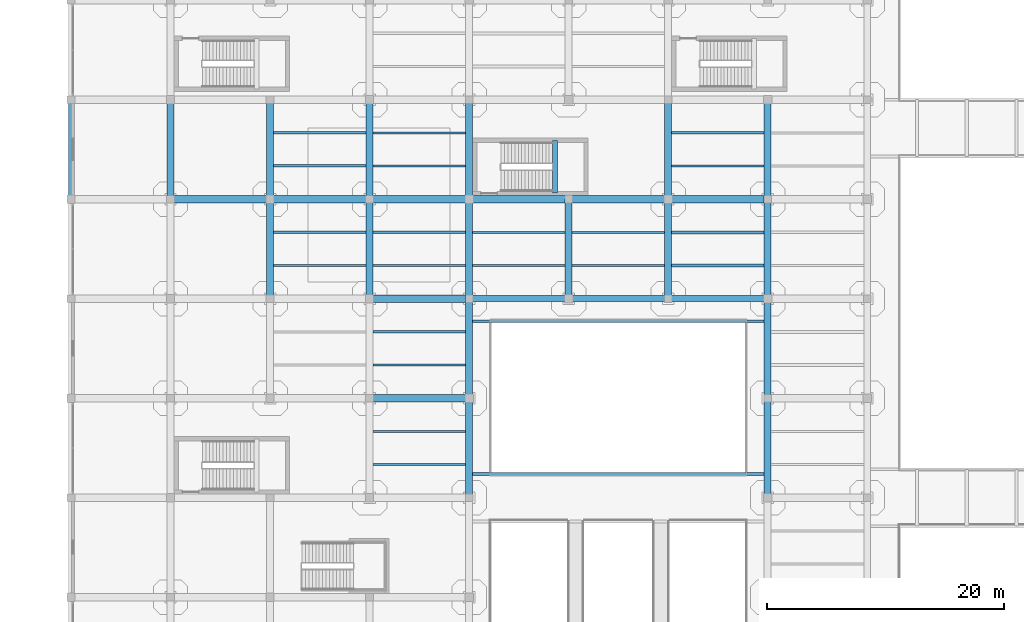
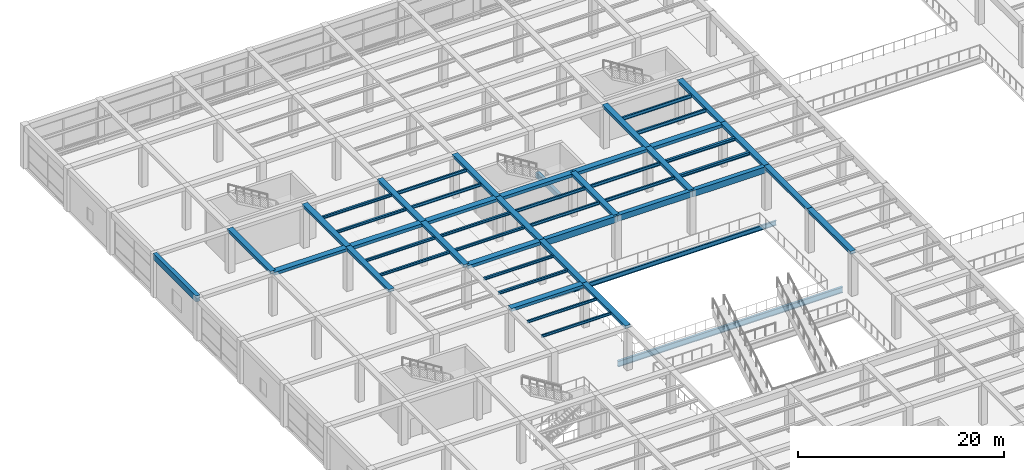
# One storey, part 32 of 95: 51 beams.
"""IFC4 building model written with IfcOpenShell, lengths in metres."""

from ifc_helpers import new_model, si_unit, direction, frame, origin, origin_2d, place, context, subcontext, project, spatial, rectangle, i_section, extrude, material, material_profile, profile_set, type_object, element, save


model = new_model("IFC4")

# Units and contexts
model_context = context("Model", 3, precision=1e-05, world=origin(), true_north=direction((0.0, 1.0)))
body_context = subcontext(model_context, "Body", "Model", "MODEL_VIEW")
ifc_project = project(units=[si_unit("LENGTHUNIT", "METRE"), si_unit("AREAUNIT", "SQUARE_METRE"), si_unit("VOLUMEUNIT", "CUBIC_METRE"), si_unit("PLANEANGLEUNIT", "RADIAN"), si_unit("MASSUNIT", "GRAM", prefix="KILO")], contexts=[model_context])

# Site, building, storey
site_placement = place(None, origin())
site = spatial("IfcSite", under=ifc_project, at=site_placement, CompositionType="ELEMENT")
building_placement = place(site_placement, origin())
building = spatial("IfcBuilding", under=site, at=building_placement, Name="Almacenes y Pasaje Nevantli", CompositionType="ELEMENT")
storey_placement = place(building_placement, frame((0.0, 0.0, 11.39990234375)))
storey = spatial("IfcBuildingStorey", under=building, at=storey_placement, Name="L03", CompositionType="ELEMENT", Elevation=11.39990234375)

# Beams
ifc_material_1 = material(Name="Concrete C35/45", Category="concrete")
ifc_material_profile_1 = material_profile(ifc_material_1, rectangle(XDim=0.39990234375, YDim=0.60009765625, at=origin_2d()), Name="RC-BM-400x600")
ifc_profile_set_1 = profile_set([ifc_material_profile_1], Name="Concrete C35/45")
beam_type_1 = type_object("IfcBeamType", Name="BM-RC-400x600", PredefinedType="SPANDREL", material=ifc_profile_set_1)
beam_1_placement = place(storey_placement, frame((40.85009765625, 84.5, 2.2001953125), z_axis=(0.0, 1.0, 0.0), x_axis=(-1.0, 0.0, 0.0)))
element("IfcBeam", 1, at=beam_1_placement, inside=storey, type_object=beam_type_1, Name="L03 Stair ST-15 Half-Landing Support Beam", PredefinedType="SPANDREL", context=body_context, shape_type="SweptSolid", body=[
    extrude(rectangle(XDim=0.39990234375, YDim=0.60009765625, at=origin_2d()), origin(), (0.0, 0.0, 1.0), 4.449951171875),
])
ifc_material_2 = material(Name="Concrete C35/45", Category="concrete")
ifc_material_profile_2 = material_profile(ifc_material_2, rectangle(XDim=0.449951171875, YDim=0.699951171875, at=origin_2d()), Name="RC-BM-450x700")
ifc_profile_set_2 = profile_set([ifc_material_profile_2], Name="Concrete C35/45")
beam_type_2 = type_object("IfcBeamType", Name="BM-RC-450x700", PredefinedType="SPANDREL", material=ifc_profile_set_2)
beam_2_placement = place(storey_placement, frame((0.0, 84.0, 4.75), z_axis=(0.0, 1.0, 0.0), x_axis=(-1.0, 0.0, 0.0)))
element("IfcBeam", 2, at=beam_2_placement, inside=storey, type_object=beam_type_2, Name="L03 North-South Reinforced Concrete Beam #2487", PredefinedType="SPANDREL", context=body_context, shape_type="SweptSolid", body=[
    extrude(rectangle(XDim=0.449951171875, YDim=0.699951171875, at=origin_2d()), origin(), (0.0, 0.0, 1.0), 8.39990234375),
])
ifc_material_3 = material(Name="Concrete C35/45", Category="concrete")
ifc_material_profile_3 = material_profile(ifc_material_3, rectangle(XDim=0.5, YDim=0.699951171875, at=origin_2d()), Name="RC-BM-500x700")
ifc_profile_set_3 = profile_set([ifc_material_profile_3], Name="Concrete C35/45")
beam_type_3 = type_object("IfcBeamType", Name="BM-RC-500x700", PredefinedType="BEAM", material=ifc_profile_set_3)
beam_3_placement = place(storey_placement, frame((42.0, 75.60009765625, 4.75), z_axis=(1.0, 0.0, 0.0), x_axis=(0.0, 1.0, 0.0)))
element("IfcBeam", 3, at=beam_3_placement, inside=storey, type_object=beam_type_3, Name="L03 East-West Reinforced Concrete Beam #2380", PredefinedType="BEAM", context=body_context, shape_type="SweptSolid", body=[
    extrude(rectangle(XDim=0.5, YDim=0.699951171875, at=origin_2d()), origin(), (0.0, 0.0, 1.0), 8.39990234375),
])
ifc_material_4 = material(Name="Concrete C35/45", Category="concrete")
ifc_material_profile_4 = material_profile(ifc_material_4, rectangle(XDim=0.5, YDim=0.75, at=origin_2d()), Name="RC-BM-500x750")
ifc_profile_set_4 = profile_set([ifc_material_profile_4], Name="Concrete C35/45")
beam_type_4 = type_object("IfcBeamType", Name="BM-RC-500x750", PredefinedType="BEAM", material=ifc_profile_set_4)
beam_4_placement = place(storey_placement, frame((33.60009765625, 75.60009765625, 4.72509765625), z_axis=(1.0, 0.0, 0.0), x_axis=(0.0, 1.0, 0.0)))
element("IfcBeam", 4, at=beam_4_placement, inside=storey, type_object=beam_type_4, Name="L03 East-West Reinforced Concrete Beam #2379", PredefinedType="BEAM", context=body_context, shape_type="SweptSolid", body=[
    extrude(rectangle(XDim=0.5, YDim=0.75, at=origin_2d()), origin(), (0.0, 0.0, 1.0), 8.39990234375),
])
beam_5_placement = place(storey_placement, frame((50.39990234375, 75.60009765625, 4.72509765625), z_axis=(1.0, 0.0, 0.0), x_axis=(0.0, 1.0, 0.0)))
element("IfcBeam", 5, at=beam_5_placement, inside=storey, type_object=beam_type_4, Name="L03 East-West Reinforced Concrete Beam #2381", PredefinedType="BEAM", context=body_context, shape_type="SweptSolid", body=[
    extrude(rectangle(XDim=0.5, YDim=0.75, at=origin_2d()), origin(), (0.0, 0.0, 1.0), 8.400146484375),
])
ifc_material_5 = material(Name="Concrete C35/45", Category="concrete")
ifc_material_profile_5 = material_profile(ifc_material_5, rectangle(XDim=0.60009765625, YDim=0.320068359375, at=origin_2d()), Name="RC-BM-600x320")
ifc_profile_set_5 = profile_set([ifc_material_profile_5], Name="Concrete C35/45")
beam_type_5 = type_object("IfcBeamType", Name="BM-RC-600x320", PredefinedType="BEAM", material=ifc_profile_set_5)
for number, where, z_axis, x_axis, name in (
    (6, (8.39990234375, 84.0, 4.940185546875), (0.0, 1.0, 0.0), (-1.0, 0.0, 0.0), "L03 North-South Reinforced Concrete Beam #2498"),
    (7, (16.800048828125, 75.60009765625, 4.940185546875), (0.0, 1.0, 0.0), (-1.0, 0.0, 0.0), "L03 North-South Reinforced Concrete Beam #2507"),
    (8, (25.199951171875, 84.0, 4.940185546875), (0.0, 1.0, 0.0), (-1.0, 0.0, 0.0), "L03 North-South Reinforced Concrete Beam #2520"),
    (9, (33.60009765625, 58.800048828125, 4.940185546875), (0.0, 1.0, 0.0), (-1.0, 0.0, 0.0), "L03 North-South Reinforced Concrete Beam #2530"),
    (10, (33.60009765625, 75.60009765625, 4.940185546875), (0.0, 1.0, 0.0), (-1.0, 0.0, 0.0), "L03 North-South Reinforced Concrete Beam #2532"),
    (11, (50.39990234375, 75.60009765625, 4.940185546875), (0.0, 1.0, 0.0), (-1.0, 0.0, 0.0), "L03 North-South Reinforced Concrete Beam #2550"),
):
    element("IfcBeam", number, at=place(storey_placement, frame(where, z_axis=z_axis, x_axis=x_axis)), inside=storey, type_object=beam_type_5, Name=name, PredefinedType="BEAM", context=body_context, shape_type="SweptSolid", body=[
        extrude(rectangle(XDim=0.60009765625, YDim=0.320068359375, at=origin_2d()), origin(), (0.0, 0.0, 1.0), 8.39990234375),
    ])
beam_6_placement = place(storey_placement, frame((58.800048828125, 67.199951171875, 4.940185546875), z_axis=(0.0, 1.0, 0.0), x_axis=(-1.0, 0.0, 0.0)))
element("IfcBeam", 12, at=beam_6_placement, inside=storey, type_object=beam_type_5, Name="L03 North-South Reinforced Concrete Beam #2563", PredefinedType="BEAM", context=body_context, shape_type="SweptSolid", body=[
    extrude(rectangle(XDim=0.60009765625, YDim=0.320068359375, at=origin_2d()), origin(), (0.0, 0.0, 1.0), 8.400146484375),
])
beam_7_placement = place(storey_placement, frame((58.800048828125, 84.0, 4.940185546875), z_axis=(0.0, 1.0, 0.0), x_axis=(-1.0, 0.0, 0.0)))
element("IfcBeam", 13, at=beam_7_placement, inside=storey, type_object=beam_type_5, Name="L03 North-South Reinforced Concrete Beam #2565", PredefinedType="BEAM", context=body_context, shape_type="SweptSolid", body=[
    extrude(rectangle(XDim=0.60009765625, YDim=0.320068359375, at=origin_2d()), origin(), (0.0, 0.0, 1.0), 8.39990234375),
])
ifc_material_6 = material(Name="Concrete C35/45", Category="concrete")
ifc_material_profile_6 = material_profile(ifc_material_6, rectangle(XDim=0.60009765625, YDim=0.340087890625, at=origin_2d()), Name="RC-BM-600x340")
ifc_profile_set_6 = profile_set([ifc_material_profile_6], Name="Concrete C35/45")
beam_type_6 = type_object("IfcBeamType", Name="BM-RC-600x340", PredefinedType="BEAM", material=ifc_profile_set_6)
for number, where, z_axis, x_axis, name in (
    (14, (16.800048828125, 84.0, 4.93017578125), (0.0, 1.0, 0.0), (-1.0, 0.0, 0.0), "L03 North-South Reinforced Concrete Beam #2508"),
    (15, (25.199951171875, 75.60009765625, 4.93017578125), (0.0, 1.0, 0.0), (-1.0, 0.0, 0.0), "L03 North-South Reinforced Concrete Beam #2519"),
):
    element("IfcBeam", number, at=place(storey_placement, frame(where, z_axis=z_axis, x_axis=x_axis)), inside=storey, type_object=beam_type_6, Name=name, PredefinedType="BEAM", context=body_context, shape_type="SweptSolid", body=[
        extrude(rectangle(XDim=0.60009765625, YDim=0.340087890625, at=origin_2d()), origin(), (0.0, 0.0, 1.0), 8.39990234375),
    ])
beam_8_placement = place(storey_placement, frame((33.60009765625, 67.199951171875, 4.93017578125), z_axis=(0.0, 1.0, 0.0), x_axis=(-1.0, 0.0, 0.0)))
element("IfcBeam", 16, at=beam_8_placement, inside=storey, type_object=beam_type_6, Name="L03 North-South Reinforced Concrete Beam #2531", PredefinedType="BEAM", context=body_context, shape_type="SweptSolid", body=[
    extrude(rectangle(XDim=0.60009765625, YDim=0.340087890625, at=origin_2d()), origin(), (0.0, 0.0, 1.0), 8.400146484375),
])
for number, where, z_axis, x_axis, name in (
    (17, (33.60009765625, 84.0, 4.93017578125), (0.0, 1.0, 0.0), (-1.0, 0.0, 0.0), "L03 North-South Reinforced Concrete Beam #2533"),
    (18, (42.0, 75.60009765625, 4.93017578125), (0.0, 1.0, 0.0), (-1.0, 0.0, 0.0), "L03 North-South Reinforced Concrete Beam #2542"),
    (19, (50.39990234375, 84.0, 4.93017578125), (0.0, 1.0, 0.0), (-1.0, 0.0, 0.0), "L03 North-South Reinforced Concrete Beam #2551"),
    (20, (58.800048828125, 58.800048828125, 4.93017578125), (0.0, 1.0, 0.0), (-1.0, 0.0, 0.0), "L03 North-South Reinforced Concrete Beam #2562"),
    (21, (58.800048828125, 75.60009765625, 4.93017578125), (0.0, 1.0, 0.0), (-1.0, 0.0, 0.0), "L03 North-South Reinforced Concrete Beam #2564"),
):
    element("IfcBeam", number, at=place(storey_placement, frame(where, z_axis=z_axis, x_axis=x_axis)), inside=storey, type_object=beam_type_6, Name=name, PredefinedType="BEAM", context=body_context, shape_type="SweptSolid", body=[
        extrude(rectangle(XDim=0.60009765625, YDim=0.340087890625, at=origin_2d()), origin(), (0.0, 0.0, 1.0), 8.39990234375),
    ])
ifc_material_7 = material(Name="Concrete C35/45", Category="concrete")
ifc_material_profile_7 = material_profile(ifc_material_7, rectangle(XDim=0.64990234375, YDim=0.35009765625, at=origin_2d()), Name="RC-BM-650x350")
ifc_profile_set_7 = profile_set([ifc_material_profile_7], Name="Concrete C35/45")
beam_type_7 = type_object("IfcBeamType", Name="BM-RC-650x350", PredefinedType="BEAM", material=ifc_profile_set_7)
for number, where, z_axis, x_axis, name in (
    (22, (25.199951171875, 67.199951171875, 4.925048828125), (1.0, 0.0, 0.0), (0.0, 1.0, 0.0), "L03 East-West Reinforced Concrete Beam #2364"),
    (23, (8.39990234375, 84.0, 4.925048828125), (1.0, 0.0, 0.0), (0.0, 1.0, 0.0), "L03 East-West Reinforced Concrete Beam #2393"),
    (24, (25.199951171875, 84.0, 4.925048828125), (1.0, 0.0, 0.0), (0.0, 1.0, 0.0), "L03 East-West Reinforced Concrete Beam #2395"),
):
    element("IfcBeam", number, at=place(storey_placement, frame(where, z_axis=z_axis, x_axis=x_axis)), inside=storey, type_object=beam_type_7, Name=name, PredefinedType="BEAM", context=body_context, shape_type="SweptSolid", body=[
        extrude(rectangle(XDim=0.64990234375, YDim=0.35009765625, at=origin_2d()), origin(), (0.0, 0.0, 1.0), 8.400146484375),
    ])
beam_9_placement = place(storey_placement, frame((42.0, 84.0, 4.925048828125), z_axis=(1.0, 0.0, 0.0), x_axis=(0.0, 1.0, 0.0)))
element("IfcBeam", 25, at=beam_9_placement, inside=storey, type_object=beam_type_7, Name="L03 East-West Reinforced Concrete Beam #2397", PredefinedType="BEAM", context=body_context, shape_type="SweptSolid", body=[
    extrude(rectangle(XDim=0.64990234375, YDim=0.35009765625, at=origin_2d()), origin(), (0.0, 0.0, 1.0), 8.39990234375),
])
ifc_material_8 = material(Name="Concrete C35/45", Category="concrete")
ifc_material_profile_8 = material_profile(ifc_material_8, rectangle(XDim=0.64990234375, YDim=0.3798828125, at=origin_2d()), Name="RC-BM-650x380")
ifc_profile_set_8 = profile_set([ifc_material_profile_8], Name="Concrete C35/45")
beam_type_8 = type_object("IfcBeamType", Name="BM-RC-650x380", PredefinedType="BEAM", material=ifc_profile_set_8)
beam_10_placement = place(storey_placement, frame((25.199951171875, 75.60009765625, 4.91015625), z_axis=(1.0, 0.0, 0.0), x_axis=(0.0, 1.0, 0.0)))
element("IfcBeam", 26, at=beam_10_placement, inside=storey, type_object=beam_type_8, Name="L03 East-West Reinforced Concrete Beam #2378", PredefinedType="BEAM", context=body_context, shape_type="SweptSolid", body=[
    extrude(rectangle(XDim=0.64990234375, YDim=0.3798828125, at=origin_2d()), origin(), (0.0, 0.0, 1.0), 8.400146484375),
])
for number, where, z_axis, x_axis, name in (
    (27, (16.800048828125, 84.0, 4.91015625), (1.0, 0.0, 0.0), (0.0, 1.0, 0.0), "L03 East-West Reinforced Concrete Beam #2394"),
    (28, (33.60009765625, 84.0, 4.91015625), (1.0, 0.0, 0.0), (0.0, 1.0, 0.0), "L03 East-West Reinforced Concrete Beam #2396"),
):
    element("IfcBeam", number, at=place(storey_placement, frame(where, z_axis=z_axis, x_axis=x_axis)), inside=storey, type_object=beam_type_8, Name=name, PredefinedType="BEAM", context=body_context, shape_type="SweptSolid", body=[
        extrude(rectangle(XDim=0.64990234375, YDim=0.3798828125, at=origin_2d()), origin(), (0.0, 0.0, 1.0), 8.39990234375),
    ])
beam_11_placement = place(storey_placement, frame((50.39990234375, 84.0, 4.91015625), z_axis=(1.0, 0.0, 0.0), x_axis=(0.0, 1.0, 0.0)))
element("IfcBeam", 29, at=beam_11_placement, inside=storey, type_object=beam_type_8, Name="L03 East-West Reinforced Concrete Beam #2398", PredefinedType="BEAM", context=body_context, shape_type="SweptSolid", body=[
    extrude(rectangle(XDim=0.64990234375, YDim=0.3798828125, at=origin_2d()), origin(), (0.0, 0.0, 1.0), 8.400146484375),
])
ifc_material_9 = material(Name="Steel ASTM A992", Category="steel")
ifc_material_profile_9 = material_profile(ifc_material_9, i_section(OverallWidth=0.1650390625, OverallDepth=0.306884765625, WebThickness=0.006591796875, FlangeThickness=0.01025390625, at=origin_2d()), Name="IR 305x44.6")
ifc_profile_set_9 = profile_set([ifc_material_profile_9], Name="Steel ASTM A992")
beam_type_9 = type_object("IfcBeamType", Name="BM-STL-IR-305x44p6", PredefinedType="JOIST", material=ifc_profile_set_9)
for number, where, z_axis, x_axis, name in (
    (30, (25.5, 61.60009765625, 4.9384765625), (1.0, 0.0, 0.0), (0.0, 1.0, 0.0), "L03 Secondary Steel Floor Joist #707"),
    (31, (25.5, 64.39990234375, 4.9384765625), (1.0, 0.0, 0.0), (0.0, 1.0, 0.0), "L03 Secondary Steel Floor Joist #708"),
):
    element("IfcBeam", number, at=place(storey_placement, frame(where, z_axis=z_axis, x_axis=x_axis)), inside=storey, type_object=beam_type_9, Name=name, PredefinedType="JOIST", context=body_context, shape_type="SweptSolid", body=[
        extrude(i_section(OverallWidth=0.1650390625, OverallDepth=0.306884765625, WebThickness=0.006591796875, FlangeThickness=0.01025390625, at=origin_2d()), origin(), (0.0, 0.0, 1.0), 7.800048828125),
    ])
ifc_material_10 = material(Name="Steel ASTM A992", Category="steel")
ifc_material_profile_10 = material_profile(ifc_material_10, i_section(OverallWidth=0.202880859375, OverallDepth=0.304931640625, WebThickness=0.007568359375, FlangeThickness=0.01318359375, at=origin_2d()), Name="IR 305x59.5")
ifc_profile_set_10 = profile_set([ifc_material_profile_10], Name="Steel ASTM A992")
beam_type_10 = type_object("IfcBeamType", Name="BM-STL-IR-305x59p5", PredefinedType="JOIST", material=ifc_profile_set_10)
for number, where, z_axis, x_axis, name in (
    (32, (17.10009765625, 78.39990234375, 4.939697265625), (1.0, 0.0, 0.0), (0.0, 1.0, 0.0), "L03 Secondary Steel Floor Joist #689"),
    (33, (17.10009765625, 81.199951171875, 4.939697265625), (1.0, 0.0, 0.0), (0.0, 1.0, 0.0), "L03 Secondary Steel Floor Joist #690"),
):
    element("IfcBeam", number, at=place(storey_placement, frame(where, z_axis=z_axis, x_axis=x_axis)), inside=storey, type_object=beam_type_10, Name=name, PredefinedType="JOIST", context=body_context, shape_type="SweptSolid", body=[
        extrude(i_section(OverallWidth=0.202880859375, OverallDepth=0.304931640625, WebThickness=0.007568359375, FlangeThickness=0.01318359375, at=origin_2d()), origin(), (0.0, 0.0, 1.0), 7.7998046875),
    ])
for number, where, z_axis, x_axis, name in (
    (34, (25.5, 70.0, 4.939697265625), (1.0, 0.0, 0.0), (0.0, 1.0, 0.0), "L03 Secondary Steel Floor Joist #709"),
    (35, (25.5, 72.800048828125, 4.939697265625), (1.0, 0.0, 0.0), (0.0, 1.0, 0.0), "L03 Secondary Steel Floor Joist #710"),
):
    element("IfcBeam", number, at=place(storey_placement, frame(where, z_axis=z_axis, x_axis=x_axis)), inside=storey, type_object=beam_type_10, Name=name, PredefinedType="JOIST", context=body_context, shape_type="SweptSolid", body=[
        extrude(i_section(OverallWidth=0.202880859375, OverallDepth=0.304931640625, WebThickness=0.007568359375, FlangeThickness=0.01318359375, at=origin_2d()), origin(), (0.0, 0.0, 1.0), 7.800048828125),
    ])
ifc_material_11 = material(Name="Steel ASTM A992", Category="steel")
ifc_material_profile_11 = material_profile(ifc_material_11, i_section(OverallWidth=0.205078125, OverallDepth=0.31005859375, WebThickness=0.009521484375, FlangeThickness=0.016357421875, at=origin_2d()), Name="IR 305x74.4")
ifc_profile_set_11 = profile_set([ifc_material_profile_11], Name="Steel ASTM A992")
beam_type_11 = type_object("IfcBeamType", Name="BM-STL-IR-305x74p4", PredefinedType="JOIST", material=ifc_profile_set_11)
for number, where, z_axis, x_axis, name in (
    (36, (17.10009765625, 86.800048828125, 4.93701171875), (1.0, 0.0, 0.0), (0.0, 1.0, 0.0), "L03 Secondary Steel Floor Joist #691"),
    (37, (17.10009765625, 89.60009765625, 4.93701171875), (1.0, 0.0, 0.0), (0.0, 1.0, 0.0), "L03 Secondary Steel Floor Joist #692"),
):
    element("IfcBeam", number, at=place(storey_placement, frame(where, z_axis=z_axis, x_axis=x_axis)), inside=storey, type_object=beam_type_11, Name=name, PredefinedType="JOIST", context=body_context, shape_type="SweptSolid", body=[
        extrude(i_section(OverallWidth=0.205078125, OverallDepth=0.31005859375, WebThickness=0.009521484375, FlangeThickness=0.016357421875, at=origin_2d()), origin(), (0.0, 0.0, 1.0), 7.7998046875),
    ])
for number, where, z_axis, x_axis, name in (
    (38, (25.5, 78.39990234375, 4.93701171875), (1.0, 0.0, 0.0), (0.0, 1.0, 0.0), "L03 Secondary Steel Floor Joist #711"),
    (39, (25.5, 81.199951171875, 4.93701171875), (1.0, 0.0, 0.0), (0.0, 1.0, 0.0), "L03 Secondary Steel Floor Joist #712"),
):
    element("IfcBeam", number, at=place(storey_placement, frame(where, z_axis=z_axis, x_axis=x_axis)), inside=storey, type_object=beam_type_11, Name=name, PredefinedType="JOIST", context=body_context, shape_type="SweptSolid", body=[
        extrude(i_section(OverallWidth=0.205078125, OverallDepth=0.31005859375, WebThickness=0.009521484375, FlangeThickness=0.016357421875, at=origin_2d()), origin(), (0.0, 0.0, 1.0), 7.800048828125),
    ])
ifc_material_12 = material(Name="Steel ASTM A992", Category="steel")
ifc_material_profile_12 = material_profile(ifc_material_12, i_section(OverallWidth=0.173095703125, OverallDepth=0.35302734375, WebThickness=0.0078125, FlangeThickness=0.01318359375, at=origin_2d()), Name="IR 356x56.6")
ifc_profile_set_12 = profile_set([ifc_material_profile_12], Name="Steel ASTM A992")
beam_type_12 = type_object("IfcBeamType", Name="BM-STL-IR-356x56p6", PredefinedType="JOIST", material=ifc_profile_set_12)
for number, where, z_axis, x_axis, name in (
    (40, (25.5, 86.800048828125, 4.91552734375), (1.0, 0.0, 0.0), (0.0, 1.0, 0.0), "L03 Secondary Steel Floor Joist #713"),
    (41, (25.5, 89.60009765625, 4.91552734375), (1.0, 0.0, 0.0), (0.0, 1.0, 0.0), "L03 Secondary Steel Floor Joist #714"),
    (42, (33.89990234375, 78.39990234375, 4.91552734375), (1.0, 0.0, 0.0), (0.0, 1.0, 0.0), "L03 Secondary Steel Floor Joist #729"),
    (43, (33.89990234375, 81.199951171875, 4.91552734375), (1.0, 0.0, 0.0), (0.0, 1.0, 0.0), "L03 Secondary Steel Floor Joist #730"),
):
    element("IfcBeam", number, at=place(storey_placement, frame(where, z_axis=z_axis, x_axis=x_axis)), inside=storey, type_object=beam_type_12, Name=name, PredefinedType="JOIST", context=body_context, shape_type="SweptSolid", body=[
        extrude(i_section(OverallWidth=0.173095703125, OverallDepth=0.35302734375, WebThickness=0.0078125, FlangeThickness=0.01318359375, at=origin_2d()), origin(), (0.0, 0.0, 1.0), 7.800048828125),
    ])
ifc_material_13 = material(Name="Steel ASTM A992", Category="steel")
ifc_material_profile_13 = material_profile(ifc_material_13, i_section(OverallWidth=0.173095703125, OverallDepth=0.364013671875, WebThickness=0.009033203125, FlangeThickness=0.015625, at=origin_2d()), Name="IR 356x67.0")
ifc_profile_set_13 = profile_set([ifc_material_profile_13], Name="Steel ASTM A992")
beam_type_13 = type_object("IfcBeamType", Name="BM-STL-IR-356x67p0", PredefinedType="JOIST", material=ifc_profile_set_13)
for number, where, z_axis, x_axis, name in (
    (44, (42.300048828125, 78.39990234375, 4.91015625), (1.0, 0.0, 0.0), (0.0, 1.0, 0.0), "L03 Secondary Steel Floor Joist #745"),
    (45, (42.300048828125, 81.199951171875, 4.91015625), (1.0, 0.0, 0.0), (0.0, 1.0, 0.0), "L03 Secondary Steel Floor Joist #746"),
):
    element("IfcBeam", number, at=place(storey_placement, frame(where, z_axis=z_axis, x_axis=x_axis)), inside=storey, type_object=beam_type_13, Name=name, PredefinedType="JOIST", context=body_context, shape_type="SweptSolid", body=[
        extrude(i_section(OverallWidth=0.173095703125, OverallDepth=0.364013671875, WebThickness=0.009033203125, FlangeThickness=0.015625, at=origin_2d()), origin(), (0.0, 0.0, 1.0), 7.800048828125),
    ])
ifc_material_14 = material(Name="Steel ASTM A992", Category="steel")
ifc_material_profile_14 = material_profile(ifc_material_14, i_section(OverallWidth=0.25390625, OverallDepth=0.35595703125, WebThickness=0.009521484375, FlangeThickness=0.016357421875, at=origin_2d()), Name="IR 356x79.0")
ifc_profile_set_14 = profile_set([ifc_material_profile_14], Name="Steel ASTM A992")
beam_type_14 = type_object("IfcBeamType", Name="BM-STL-IR-356x79p0", PredefinedType="JOIST", material=ifc_profile_set_14)
for number, where, z_axis, x_axis, name in (
    (46, (50.699951171875, 78.39990234375, 4.9140625), (1.0, 0.0, 0.0), (0.0, 1.0, 0.0), "L03 Secondary Steel Floor Joist #761"),
    (47, (50.699951171875, 81.199951171875, 4.9140625), (1.0, 0.0, 0.0), (0.0, 1.0, 0.0), "L03 Secondary Steel Floor Joist #762"),
):
    element("IfcBeam", number, at=place(storey_placement, frame(where, z_axis=z_axis, x_axis=x_axis)), inside=storey, type_object=beam_type_14, Name=name, PredefinedType="JOIST", context=body_context, shape_type="SweptSolid", body=[
        extrude(i_section(OverallWidth=0.25390625, OverallDepth=0.35595703125, WebThickness=0.009521484375, FlangeThickness=0.016357421875, at=origin_2d()), origin(), (0.0, 0.0, 1.0), 7.800048828125),
    ])
ifc_material_15 = material(Name="Steel ASTM A992", Category="steel")
ifc_material_profile_15 = material_profile(ifc_material_15, i_section(OverallWidth=0.178955078125, OverallDepth=0.406005859375, WebThickness=0.0087890625, FlangeThickness=0.014404296875, at=origin_2d()), Name="IR 406x67.0")
ifc_profile_set_15 = profile_set([ifc_material_profile_15], Name="Steel ASTM A992")
beam_type_15 = type_object("IfcBeamType", Name="BM-STL-IR-406x67p0", PredefinedType="JOIST", material=ifc_profile_set_15)
for number, where, z_axis, x_axis, name in (
    (48, (50.699951171875, 86.800048828125, 4.88916015625), (1.0, 0.0, 0.0), (0.0, 1.0, 0.0), "L03 Secondary Steel Floor Joist #763"),
    (49, (50.699951171875, 89.60009765625, 4.88916015625), (1.0, 0.0, 0.0), (0.0, 1.0, 0.0), "L03 Secondary Steel Floor Joist #764"),
):
    element("IfcBeam", number, at=place(storey_placement, frame(where, z_axis=z_axis, x_axis=x_axis)), inside=storey, type_object=beam_type_15, Name=name, PredefinedType="JOIST", context=body_context, shape_type="SweptSolid", body=[
        extrude(i_section(OverallWidth=0.178955078125, OverallDepth=0.406005859375, WebThickness=0.0087890625, FlangeThickness=0.014404296875, at=origin_2d()), origin(), (0.0, 0.0, 1.0), 7.800048828125),
    ])
ifc_material_16 = material(Name="Steel ASTM A992", Category="steel")
ifc_material_profile_16 = material_profile(ifc_material_16, i_section(OverallWidth=0.2119140625, OverallDepth=0.5439453125, WebThickness=0.01318359375, FlangeThickness=0.021240234375, at=origin_2d()), Name="IR 533x123.5")
ifc_profile_set_16 = profile_set([ifc_material_profile_16], Name="Steel ASTM A992")
beam_type_16 = type_object("IfcBeamType", Name="BM-STL-IR-533x123p5", PredefinedType="BEAM", material=ifc_profile_set_16)
beam_12_placement = place(storey_placement, frame((33.60009765625, 73.699951171875, -0.579833984375), z_axis=(1.0, 0.0, 0.0), x_axis=(0.0, 1.0, 0.0)))
element("IfcBeam", 50, at=beam_12_placement, inside=storey, type_object=beam_type_16, Name="L03 Atrium Escalator Bridge and Trimmer Girder #4", PredefinedType="BEAM", context=body_context, shape_type="SweptSolid", body=[
    extrude(i_section(OverallWidth=0.2119140625, OverallDepth=0.5439453125, WebThickness=0.01318359375, FlangeThickness=0.021240234375, at=origin_2d()), origin(), (0.0, 0.0, 1.0), 25.199951171875),
])
ifc_material_17 = material(Name="Steel ASTM A992", Category="steel")
ifc_material_profile_17 = material_profile(ifc_material_17, i_section(OverallWidth=0.25390625, OverallDepth=0.68798828125, WebThickness=0.01318359375, FlangeThickness=0.02099609375, at=origin_2d()), Name="IR 686x152.0")
ifc_profile_set_17 = profile_set([ifc_material_profile_17], Name="Steel ASTM A992")
beam_type_17 = type_object("IfcBeamType", Name="BM-STL-IR-686x152p0", PredefinedType="BEAM", material=ifc_profile_set_17)
beam_13_placement = place(storey_placement, frame((33.60009765625, 60.800048828125, -0.65185546875), z_axis=(1.0, 0.0, 0.0), x_axis=(0.0, 1.0, 0.0)))
element("IfcBeam", 51, at=beam_13_placement, inside=storey, type_object=beam_type_17, Name="L03 Atrium Escalator Bridge and Trimmer Girder #3", PredefinedType="BEAM", context=body_context, shape_type="SweptSolid", body=[
    extrude(i_section(OverallWidth=0.25390625, OverallDepth=0.68798828125, WebThickness=0.01318359375, FlangeThickness=0.02099609375, at=origin_2d()), origin(), (0.0, 0.0, 1.0), 25.199951171875),
])

save(model, "model.ifc")
